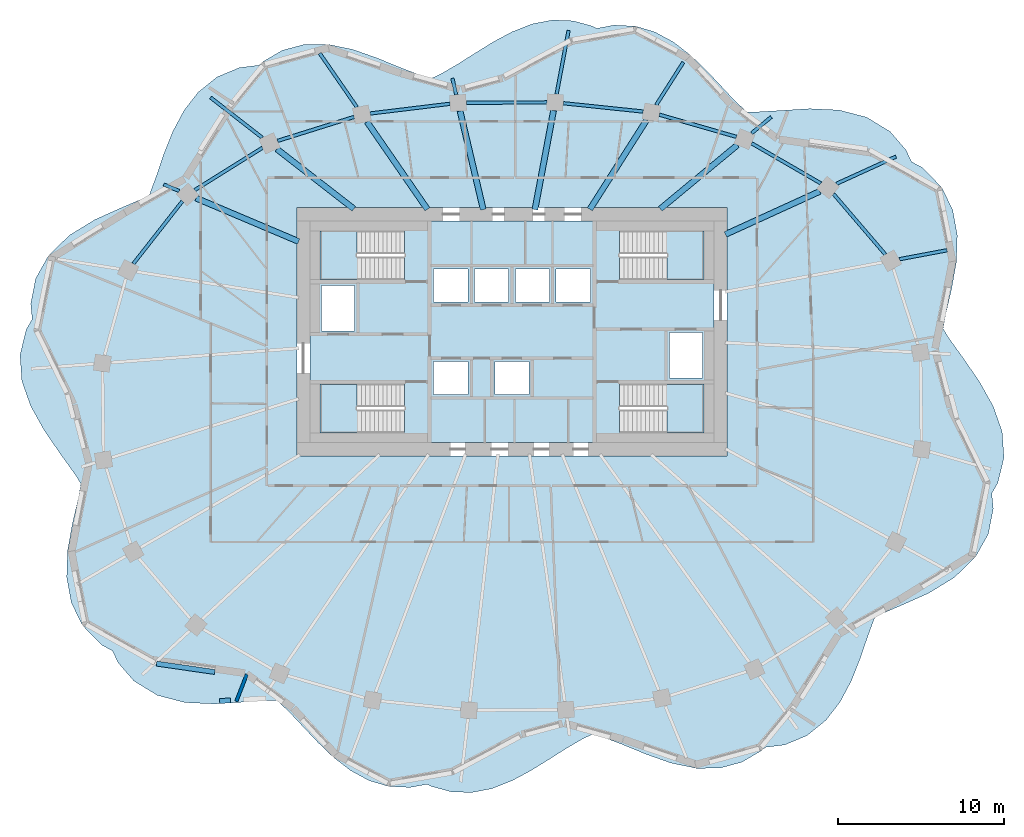
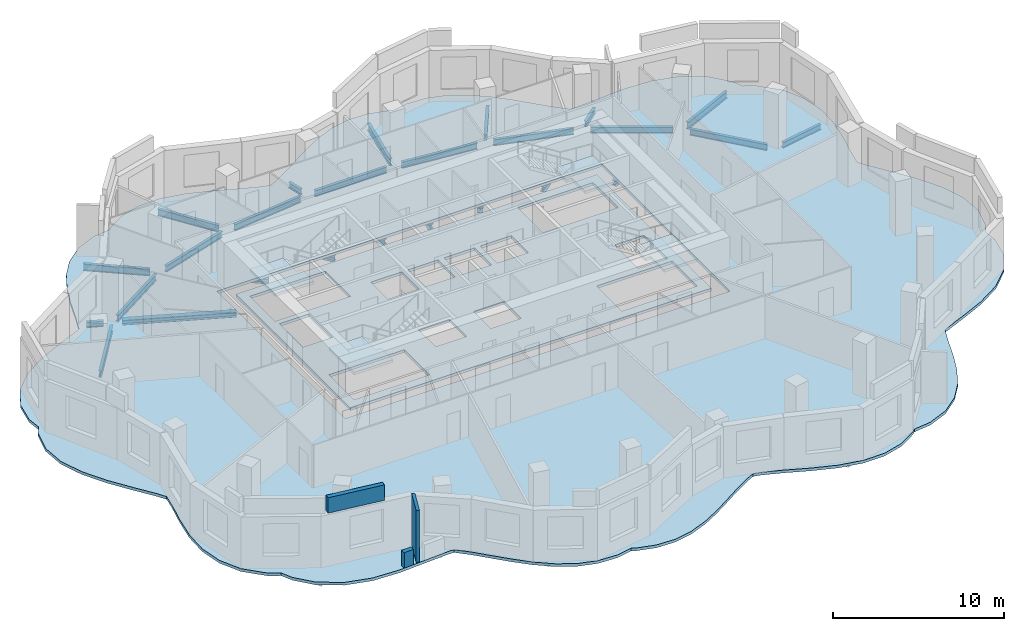
# One storey, part 2 of 10: 26 beams, 6 slabs, 3 walls, 4 elements without a shape of their own.
"""IFC4 building model written with IfcOpenShell, lengths in metres."""

from ifc_helpers import new_model, si_unit, direction, frame, frame_2d, origin, origin_2d, place, context, subcontext, project, spatial, polyline, rectangle, i_section, outline, extrude, material, layer, layer_set, material_profile, profile_set, type_object, element, aggregate, save


model = new_model("IFC4")

# Units and contexts
model_context = context("Model", 3, precision=1e-05, world=origin(), true_north=direction((0.0, 1.0)))
body_context = subcontext(model_context, "Body", "Model", "MODEL_VIEW")
ifc_project = project(units=[si_unit("LENGTHUNIT", "METRE"), si_unit("AREAUNIT", "SQUARE_METRE"), si_unit("VOLUMEUNIT", "CUBIC_METRE"), si_unit("PLANEANGLEUNIT", "RADIAN"), si_unit("MASSUNIT", "GRAM", prefix="KILO")], contexts=[model_context])

# Site, building, storey
site_placement = place(None, origin())
site = spatial("IfcSite", under=ifc_project, at=site_placement, CompositionType="ELEMENT")
building_placement = place(site_placement, origin())
building = spatial("IfcBuilding", under=site, at=building_placement, Name="Rubra Terraces Tower", CompositionType="ELEMENT")
storey_placement = place(building_placement, frame((0.0, 0.0, 256.5)))
storey = spatial("IfcBuildingStorey", under=building, at=storey_placement, Name="L63", CompositionType="ELEMENT", Elevation=256.5)

# Beams
ifc_material_1 = material(Name="Steel Q355B", Category="steel")
ifc_material_profile_1 = material_profile(ifc_material_1, i_section(OverallWidth=0.199951171875, OverallDepth=0.39990234375, WebThickness=0.008056640625, FlangeThickness=0.012939453125, at=origin_2d()), Name="HN 400x200x8x13")
ifc_profile_set_1 = profile_set([ifc_material_profile_1], Name="Steel Q355B")
beam_type_1 = type_object("IfcBeamType", Name="CANTILEVER BEAM HN 400x200x8x13", PredefinedType="BEAM", material=ifc_profile_set_1)
beam_1_placement = place(storey_placement, frame((23.39794921875, 8.884033203125, -0.39990234375), z_axis=(0.982856170911, 0.184373933356, 0.0), x_axis=(-0.184373933356, 0.982856170911, 0.0)))
element("IfcBeam", 1, at=beam_1_placement, inside=storey, type_object=beam_type_1, Name="beam-L63-cant-02", PredefinedType="BEAM", context=body_context, shape_type="SweptSolid", body=[
    extrude(i_section(OverallWidth=0.199951171875, OverallDepth=0.39990234375, WebThickness=0.008056640625, FlangeThickness=0.012939453125, at=origin_2d()), origin(), (0.0, 0.0, 1.0), 2.934326171875),
])
beam_2_placement = place(storey_placement, frame((14.47509765625, 16.4951171875, -0.39990234375), z_axis=(0.769894720429, 0.638170917119, 0.0), x_axis=(-0.638170917119, 0.769894720429, 0.0)))
element("IfcBeam", 2, at=beam_2_placement, inside=storey, type_object=beam_type_1, Name="beam-L63-cant-04", PredefinedType="BEAM", context=body_context, shape_type="SweptSolid", body=[
    extrude(i_section(OverallWidth=0.199951171875, OverallDepth=0.39990234375, WebThickness=0.008056640625, FlangeThickness=0.012939453125, at=origin_2d()), origin(), (0.0, 0.0, 1.0), 1.540283203125),
])
beam_3_placement = place(storey_placement, frame((8.7099609375, 18.201904296875, -0.39990234375), z_axis=(0.536555231363, 0.843865204696, 0.0), x_axis=(-0.843865204696, 0.536555231363, 0.0)))
element("IfcBeam", 3, at=beam_3_placement, inside=storey, type_object=beam_type_1, Name="beam-L63-cant-05", PredefinedType="BEAM", context=body_context, shape_type="SweptSolid", body=[
    extrude(i_section(OverallWidth=0.199951171875, OverallDepth=0.39990234375, WebThickness=0.008056640625, FlangeThickness=0.012939453125, at=origin_2d()), origin(), (0.0, 0.0, 1.0), 3.05859375),
])
ifc_material_profile_2 = material_profile(ifc_material_1, i_section(OverallWidth=0.198974609375, OverallDepth=0.49609375, WebThickness=0.009033203125, FlangeThickness=0.013916015625, at=origin_2d()), Name="HN 496x199x9x14")
ifc_profile_set_2 = profile_set([ifc_material_profile_2], Name="Steel Q355B")
beam_type_2 = type_object("IfcBeamType", Name="CANTILEVER BEAM HN 496x199x9x14", PredefinedType="BEAM", material=ifc_profile_set_2)
beam_4_placement = place(storey_placement, frame((19.596923828125, 13.43896484375, -0.447998046875), z_axis=(0.909745347317, 0.415166717157, 0.0), x_axis=(-0.415166717157, 0.909745347317, 0.0)))
element("IfcBeam", 4, at=beam_4_placement, inside=storey, type_object=beam_type_2, Name="beam-L63-cant-03", PredefinedType="BEAM", context=body_context, shape_type="SweptSolid", body=[
    extrude(i_section(OverallWidth=0.198974609375, OverallDepth=0.49609375, WebThickness=0.009033203125, FlangeThickness=0.013916015625, at=origin_2d()), origin(), (0.0, 0.0, 1.0), 3.950439453125),
])
beam_5_placement = place(storey_placement, frame((2.695068359375, 18.85400390625, -0.447998046875), z_axis=(0.184533441982, 0.982826235298, 0.0), x_axis=(-0.982826235298, 0.184533441982, 0.0)))
element("IfcBeam", 5, at=beam_5_placement, inside=storey, type_object=beam_type_2, Name="beam-L63-cant-06", PredefinedType="BEAM", context=body_context, shape_type="SweptSolid", body=[
    extrude(i_section(OverallWidth=0.198974609375, OverallDepth=0.49609375, WebThickness=0.009033203125, FlangeThickness=0.013916015625, at=origin_2d()), origin(), (0.0, 0.0, 1.0), 3.912109375),
])
beam_6_placement = place(storey_placement, frame((-9.3701171875, 18.070068359375, -0.447998046875), z_axis=(-0.568216621414, 0.822879013676, 0.0), x_axis=(-0.822879013676, -0.568216621414, 0.0)))
element("IfcBeam", 6, at=beam_6_placement, inside=storey, type_object=beam_type_2, Name="beam-L63-cant-08", PredefinedType="BEAM", context=body_context, shape_type="SweptSolid", body=[
    extrude(i_section(OverallWidth=0.198974609375, OverallDepth=0.49609375, WebThickness=0.009033203125, FlangeThickness=0.013916015625, at=origin_2d()), origin(), (0.0, 0.0, 1.0), 3.95068359375),
])
beam_7_placement = place(storey_placement, frame((-15.087890625, 16.22705078125, -0.447998046875), z_axis=(-0.789618379303, 0.61359825217, 0.0), x_axis=(-0.61359825217, -0.789618379303, 0.0)))
element("IfcBeam", 7, at=beam_7_placement, inside=storey, type_object=beam_type_2, Name="beam-L63-cant-09", PredefinedType="BEAM", context=body_context, shape_type="SweptSolid", body=[
    extrude(i_section(OverallWidth=0.198974609375, OverallDepth=0.49609375, WebThickness=0.009033203125, FlangeThickness=0.013916015625, at=origin_2d()), origin(), (0.0, 0.0, 1.0), 3.9501953125),
])
ifc_material_profile_3 = material_profile(ifc_material_1, i_section(OverallWidth=0.199951171875, OverallDepth=0.39990234375, WebThickness=0.008056640625, FlangeThickness=0.012939453125, at=origin_2d()), Name="HN 400x200x8x13")
ifc_profile_set_3 = profile_set([ifc_material_profile_3], Name="Steel Q355B")
beam_type_3 = type_object("IfcBeamType", Name="CANTILEVER STUB HN 400x200x8x13", PredefinedType="BEAM", material=ifc_profile_set_3)
beam_8_placement = place(storey_placement, frame((-3.3701171875, 18.823974609375, -0.39990234375), z_axis=(-0.228798709465, 0.973473754421, 0.0), x_axis=(-0.973473754421, -0.228798709465, 0.0)))
element("IfcBeam", 8, at=beam_8_placement, inside=storey, type_object=beam_type_3, Name="beam-L63-cant-07", PredefinedType="BEAM", context=body_context, shape_type="SweptSolid", body=[
    extrude(i_section(OverallWidth=0.199951171875, OverallDepth=0.39990234375, WebThickness=0.008056640625, FlangeThickness=0.012939453125, at=origin_2d()), origin(), (0.0, 0.0, 1.0), 1.01806640625),
])
beam_9_placement = place(storey_placement, frame((-20.10205078125, 13.0048828125, -0.39990234375), z_axis=(-0.920750248857, 0.390152507654, 0.0), x_axis=(-0.390152507654, -0.920750248857, 0.0)))
element("IfcBeam", 9, at=beam_9_placement, inside=storey, type_object=beam_type_3, Name="beam-L63-cant-10", PredefinedType="BEAM", context=body_context, shape_type="SweptSolid", body=[
    extrude(i_section(OverallWidth=0.199951171875, OverallDepth=0.39990234375, WebThickness=0.008056640625, FlangeThickness=0.012939453125, at=origin_2d()), origin(), (0.0, 0.0, 1.0), 1.010009765625),
])
ifc_material_profile_4 = material_profile(ifc_material_1, i_section(OverallWidth=0.35009765625, OverallDepth=0.35009765625, WebThickness=0.011962890625, FlangeThickness=0.01904296875, at=origin_2d()), Name="HW 350x350x12x19")
ifc_profile_set_4 = profile_set([ifc_material_profile_4], Name="Steel Q355B")
beam_type_4 = type_object("IfcBeamType", Name="FLOOR BEAM HW 350x350x12x19", PredefinedType="BEAM", material=ifc_profile_set_4)
beam_10_placement = place(storey_placement, frame((18.5869140625, 12.97900390625, -0.375), z_axis=(-0.909756526533, -0.415142219523, 0.0), x_axis=(0.415142219523, -0.909756526533, 0.0)))
element("IfcBeam", 10, at=beam_10_placement, inside=storey, type_object=beam_type_4, Name="beam-L63-floor-03", PredefinedType="BEAM", context=body_context, shape_type="SweptSolid", body=[
    extrude(i_section(OverallWidth=0.35009765625, OverallDepth=0.35009765625, WebThickness=0.011962890625, FlangeThickness=0.01904296875, at=origin_2d()), origin(), (0.0, 0.0, 1.0), 6.2607421875),
])
beam_11_placement = place(storey_placement, frame((13.60888671875, 15.777099609375, -0.375), z_axis=(-0.769987518392, -0.638058948312, 0.0), x_axis=(0.638058948312, -0.769987518392, 0.0)))
element("IfcBeam", 11, at=beam_11_placement, inside=storey, type_object=beam_type_4, Name="beam-L63-floor-04", PredefinedType="BEAM", context=body_context, shape_type="SweptSolid", body=[
    extrude(i_section(OverallWidth=0.35009765625, OverallDepth=0.35009765625, WebThickness=0.011962890625, FlangeThickness=0.01904296875, at=origin_2d()), origin(), (0.0, 0.0, 1.0), 6.040283203125),
])
beam_12_placement = place(storey_placement, frame((8.134033203125, 17.2958984375, -0.375), z_axis=(-0.536509861106, -0.843894050776, 0.0), x_axis=(0.843894050776, -0.536509861106, 0.0)))
element("IfcBeam", 12, at=beam_12_placement, inside=storey, type_object=beam_type_4, Name="beam-L63-floor-05", PredefinedType="BEAM", context=body_context, shape_type="SweptSolid", body=[
    extrude(i_section(OverallWidth=0.35009765625, OverallDepth=0.35009765625, WebThickness=0.011962890625, FlangeThickness=0.01904296875, at=origin_2d()), origin(), (0.0, 0.0, 1.0), 6.395263671875),
])
beam_13_placement = place(storey_placement, frame((2.509033203125, 17.862060546875, -0.375), z_axis=(-0.184574398021, -0.982818544593, 0.0), x_axis=(0.982818544593, -0.184574398021, 0.0)))
element("IfcBeam", 13, at=beam_13_placement, inside=storey, type_object=beam_type_4, Name="beam-L63-floor-06", PredefinedType="BEAM", context=body_context, shape_type="SweptSolid", body=[
    extrude(i_section(OverallWidth=0.35009765625, OverallDepth=0.35009765625, WebThickness=0.011962890625, FlangeThickness=0.01904296875, at=origin_2d()), origin(), (0.0, 0.0, 1.0), 6.08447265625),
])
beam_14_placement = place(storey_placement, frame((-3.137939453125, 17.8359375, -0.375), z_axis=(0.229070485592, -0.973409837957, 0.0), x_axis=(0.973409837957, 0.229070485592, 0.0)))
element("IfcBeam", 14, at=beam_14_placement, inside=storey, type_object=beam_type_4, Name="beam-L63-floor-07", PredefinedType="BEAM", context=body_context, shape_type="SweptSolid", body=[
    extrude(i_section(OverallWidth=0.35009765625, OverallDepth=0.35009765625, WebThickness=0.011962890625, FlangeThickness=0.01904296875, at=origin_2d()), origin(), (0.0, 0.0, 1.0), 6.115478515625),
])
beam_15_placement = place(storey_placement, frame((-8.756103515625, 17.179931640625, -0.375), z_axis=(0.568186422001, -0.822899866238, 0.0), x_axis=(0.822899866238, 0.568186422001, 0.0)))
element("IfcBeam", 15, at=beam_15_placement, inside=storey, type_object=beam_type_4, Name="beam-L63-floor-08", PredefinedType="BEAM", context=body_context, shape_type="SweptSolid", body=[
    extrude(i_section(OverallWidth=0.35009765625, OverallDepth=0.35009765625, WebThickness=0.011962890625, FlangeThickness=0.01904296875, at=origin_2d()), origin(), (0.0, 0.0, 1.0), 6.415283203125),
])
beam_16_placement = place(storey_placement, frame((-14.197998046875, 15.534912109375, -0.375), z_axis=(0.789548898228, -0.613687654517, 0.0), x_axis=(0.613687654517, 0.789548898228, 0.0)))
element("IfcBeam", 16, at=beam_16_placement, inside=storey, type_object=beam_type_4, Name="beam-L63-floor-09", PredefinedType="BEAM", context=body_context, shape_type="SweptSolid", body=[
    extrude(i_section(OverallWidth=0.35009765625, OverallDepth=0.35009765625, WebThickness=0.011962890625, FlangeThickness=0.01904296875, at=origin_2d()), origin(), (0.0, 0.0, 1.0), 5.880615234375),
])
beam_17_placement = place(storey_placement, frame((-19.083984375, 12.574951171875, -0.375), z_axis=(0.92097476483, -0.38962223056, 0.0), x_axis=(0.38962223056, 0.92097476483, 0.0)))
element("IfcBeam", 17, at=beam_17_placement, inside=storey, type_object=beam_type_4, Name="beam-L63-floor-10", PredefinedType="BEAM", context=body_context, shape_type="SweptSolid", body=[
    extrude(i_section(OverallWidth=0.35009765625, OverallDepth=0.35009765625, WebThickness=0.011962890625, FlangeThickness=0.01904296875, at=origin_2d()), origin(), (0.0, 0.0, 1.0), 6.7265625),
])
ifc_material_profile_5 = material_profile(ifc_material_1, i_section(OverallWidth=0.198974609375, OverallDepth=0.446044921875, WebThickness=0.008056640625, FlangeThickness=0.011962890625, at=origin_2d()), Name="HN 446x199x8x12")
ifc_profile_set_5 = profile_set([ifc_material_profile_5], Name="Steel Q355B")
beam_type_5 = type_object("IfcBeamType", Name="SPANDREL BEAM HN 446x199x8x12", PredefinedType="SPANDREL", material=ifc_profile_set_5)
beam_18_placement = place(storey_placement, frame((22.547119140625, 9.174072265625, -0.423095703125), z_axis=(-0.650372836218, 0.759615148552, 0.0), x_axis=(-0.759615148552, -0.650372836218, 0.0)))
element("IfcBeam", 18, at=beam_18_placement, inside=storey, type_object=beam_type_5, Name="beam-L63-spandrel-02", PredefinedType="SPANDREL", context=body_context, shape_type="SweptSolid", body=[
    extrude(i_section(OverallWidth=0.198974609375, OverallDepth=0.446044921875, WebThickness=0.008056640625, FlangeThickness=0.011962890625, at=origin_2d()), origin(), (0.0, 0.0, 1.0), 4.804931640625),
])
beam_19_placement = place(storey_placement, frame((18.653076171875, 13.462890625, -0.423095703125), z_axis=(-0.865153680787, 0.501506838059, 0.0), x_axis=(-0.501506838059, -0.865153680787, 0.0)))
element("IfcBeam", 19, at=beam_19_placement, inside=storey, type_object=beam_type_5, Name="beam-L63-spandrel-03", PredefinedType="SPANDREL", context=body_context, shape_type="SweptSolid", body=[
    extrude(i_section(OverallWidth=0.198974609375, OverallDepth=0.446044921875, WebThickness=0.008056640625, FlangeThickness=0.011962890625, at=origin_2d()), origin(), (0.0, 0.0, 1.0), 4.82568359375),
])
beam_20_placement = place(storey_placement, frame((13.55810546875, 16.27490234375, -0.423095703125), z_axis=(-0.961171164323, 0.275952881621, 0.0), x_axis=(-0.275952881621, -0.961171164323, 0.0)))
element("IfcBeam", 20, at=beam_20_placement, inside=storey, type_object=beam_type_5, Name="beam-L63-spandrel-04", PredefinedType="SPANDREL", context=body_context, shape_type="SweptSolid", body=[
    extrude(i_section(OverallWidth=0.198974609375, OverallDepth=0.446044921875, WebThickness=0.008056640625, FlangeThickness=0.011962890625, at=origin_2d()), origin(), (0.0, 0.0, 1.0), 4.842041015625),
])
beam_21_placement = place(storey_placement, frame((7.923095703125, 17.801025390625, -0.423095703125), z_axis=(-0.994565426955, 0.104113454971, 0.0), x_axis=(-0.104113454971, -0.994565426955, 0.0)))
element("IfcBeam", 21, at=beam_21_placement, inside=storey, type_object=beam_type_5, Name="beam-L63-spandrel-05", PredefinedType="SPANDREL", context=body_context, shape_type="SweptSolid", body=[
    extrude(i_section(OverallWidth=0.198974609375, OverallDepth=0.446044921875, WebThickness=0.008056640625, FlangeThickness=0.011962890625, at=origin_2d()), origin(), (0.0, 0.0, 1.0), 4.849365234375),
])
beam_22_placement = place(storey_placement, frame((2.10107421875, 18.35595703125, -0.423095703125), z_axis=(-0.999987852299, -0.004929021704, 0.0), x_axis=(0.004929021704, -0.999987852299, 0.0)))
element("IfcBeam", 22, at=beam_22_placement, inside=storey, type_object=beam_type_5, Name="beam-L63-spandrel-06", PredefinedType="SPANDREL", context=body_context, shape_type="SweptSolid", body=[
    extrude(i_section(OverallWidth=0.198974609375, OverallDepth=0.446044921875, WebThickness=0.008056640625, FlangeThickness=0.011962890625, at=origin_2d()), origin(), (0.0, 0.0, 1.0), 4.85400390625),
])
beam_23_placement = place(storey_placement, frame((-3.7509765625, 18.27001953125, -0.423095703125), z_axis=(-0.992698018573, -0.120626049929, 0.0), x_axis=(0.120626049929, -0.992698018573, 0.0)))
element("IfcBeam", 23, at=beam_23_placement, inside=storey, type_object=beam_type_5, Name="beam-L63-spandrel-07", PredefinedType="SPANDREL", context=body_context, shape_type="SweptSolid", body=[
    extrude(i_section(OverallWidth=0.198974609375, OverallDepth=0.446044921875, WebThickness=0.008056640625, FlangeThickness=0.011962890625, at=origin_2d()), origin(), (0.0, 0.0, 1.0), 4.849365234375),
])
beam_24_placement = place(storey_placement, frame((-9.5419921875, 17.47509765625, -0.423095703125), z_axis=(-0.954462027342, -0.298332429282, 0.0), x_axis=(0.298332429282, -0.954462027342, 0.0)))
element("IfcBeam", 24, at=beam_24_placement, inside=storey, type_object=beam_type_5, Name="beam-L63-spandrel-08", PredefinedType="SPANDREL", context=body_context, shape_type="SweptSolid", body=[
    extrude(i_section(OverallWidth=0.198974609375, OverallDepth=0.446044921875, WebThickness=0.008056640625, FlangeThickness=0.011962890625, at=origin_2d()), origin(), (0.0, 0.0, 1.0), 4.840576171875),
])
beam_25_placement = place(storey_placement, frame((-15.071044921875, 15.614013671875, -0.423095703125), z_axis=(-0.848183088492, -0.529703170083, 0.0), x_axis=(0.529703170083, -0.848183088492, 0.0)))
element("IfcBeam", 25, at=beam_25_placement, inside=storey, type_object=beam_type_5, Name="beam-L63-spandrel-09", PredefinedType="SPANDREL", context=body_context, shape_type="SweptSolid", body=[
    extrude(i_section(OverallWidth=0.198974609375, OverallDepth=0.446044921875, WebThickness=0.008056640625, FlangeThickness=0.011962890625, at=origin_2d()), origin(), (0.0, 0.0, 1.0), 4.8232421875),
])
beam_26_placement = place(storey_placement, frame((-19.906005859375, 12.39111328125, -0.423095703125), z_axis=(-0.617060338015, -0.786915840004, 0.0), x_axis=(0.786915840004, -0.617060338015, 0.0)))
element("IfcBeam", 26, at=beam_26_placement, inside=storey, type_object=beam_type_5, Name="beam-L63-spandrel-10", PredefinedType="SPANDREL", context=body_context, shape_type="SweptSolid", body=[
    extrude(i_section(OverallWidth=0.198974609375, OverallDepth=0.446044921875, WebThickness=0.008056640625, FlangeThickness=0.011962890625, at=origin_2d()), origin(), (0.0, 0.0, 1.0), 4.8037109375),
])

# Slab
ifc_material_2 = material(Name="Concrete C40", Category="concrete")
ifc_layer_1 = layer(ifc_material_2, 0.199951171875)
ifc_layer_set_1 = layer_set([ifc_layer_1], Name="Concrete C40")
slab_type_1 = type_object("IfcSlabType", Name="Core floor slab 200 concrete", PredefinedType="FLOOR", material=ifc_layer_set_1)
slab_1_placement = place(storey_placement, frame((0.0, 0.0, -0.199951171875)))
element("IfcSlab", 27, at=slab_1_placement, inside=storey, type_object=slab_type_1, Name="CORE FLOOR SLAB L63", PredefinedType="FLOOR", context=body_context, shape_type="SweptSolid", body=[
    extrude(outline(polyline([(-12.199951171875, -2.199951171875), (-12.199951171875, 11.199951171875), (12.199951171875, 11.199951171875), (12.199951171875, -2.199951171875), (-12.199951171875, -2.199951171875)]), holes=[polyline([(11.597900390625, 1.347900390625), (6.501953125, 1.347900390625), (6.501953125, -1.597900390625), (11.597900390625, -1.597900390625), (11.597900390625, 1.347900390625)]), polyline([(11.597900390625, 7.652099609375), (11.597900390625, 10.597900390625), (6.501953125, 10.597900390625), (6.501953125, 7.652099609375), (11.597900390625, 7.652099609375)]), polyline([(9.5, 1.699951171875), (11.5, 1.699951171875), (11.5, 4.449951171875), (9.5, 4.449951171875), (9.5, 1.699951171875)]), polyline([(4.75, 6.300048828125), (4.75, 8.300048828125), (2.64990234375, 8.300048828125), (2.64990234375, 6.300048828125), (4.75, 6.300048828125)]), polyline([(2.25, 8.300048828125), (0.199951171875, 8.300048828125), (0.199951171875, 6.300048828125), (2.25, 6.300048828125), (2.25, 8.300048828125)]), polyline([(1.02490234375, 0.699951171875), (1.02490234375, 2.699951171875), (-1.02490234375, 2.699951171875), (-1.02490234375, 0.699951171875), (1.02490234375, 0.699951171875)]), polyline([(-0.199951171875, 6.300048828125), (-0.199951171875, 8.300048828125), (-2.25, 8.300048828125), (-2.25, 6.300048828125), (-0.199951171875, 6.300048828125)]), polyline([(-4.75, 8.300048828125), (-4.75, 6.300048828125), (-2.64990234375, 6.300048828125), (-2.64990234375, 8.300048828125), (-4.75, 8.300048828125)]), polyline([(-2.64990234375, 0.699951171875), (-2.64990234375, 2.699951171875), (-4.75, 2.699951171875), (-4.75, 0.699951171875), (-2.64990234375, 0.699951171875)]), polyline([(-11.597900390625, -1.597900390625), (-6.501953125, -1.597900390625), (-6.501953125, 1.347900390625), (-11.597900390625, 1.347900390625), (-11.597900390625, -1.597900390625)]), polyline([(-11.597900390625, 10.597900390625), (-11.597900390625, 7.652099609375), (-6.501953125, 7.652099609375), (-6.501953125, 10.597900390625), (-11.597900390625, 10.597900390625)]), polyline([(-9.5, 4.550048828125), (-9.5, 7.300048828125), (-11.5, 7.300048828125), (-11.5, 4.550048828125), (-9.5, 4.550048828125)])]), origin(), (0.0, 0.0, 1.0), 0.199951171875),
])

# Stair, slab
stair_type = type_object("IfcStairType", Name="Core stair 1400", PredefinedType="HALF_TURN_STAIR", material=ifc_material_2)
stair_1_placement = place(storey_placement, origin())
stair_1 = element("IfcStair", 28, at=stair_1_placement, inside=storey, type_object=stair_type, Name="L63 Exit stair S1", PredefinedType="HALF_TURN_STAIR")
ifc_layer_2 = layer(ifc_material_2, 0.199951171875)
ifc_layer_set_2 = layer_set([ifc_layer_2], Name="Concrete C40")
slab_type_2 = type_object("IfcSlabType", Name="Core stair landing 200", PredefinedType="LANDING", material=ifc_layer_set_2)
slab_2_placement = place(storey_placement, frame((0.0, 0.0, 1.75)))
slab_2 = element("IfcSlab", 29, at=slab_2_placement, type_object=slab_type_2, Name="S1 landing 1", PredefinedType="LANDING", context=body_context, shape_type="SweptSolid", body=[
    extrude(outline(polyline([(-8.97998046875, -0.199951171875), (-8.97998046875, -1.60009765625), (-9.360107421875, -1.60009765625), (-9.3798828125, -1.60009765625), (-11.60009765625, -1.60009765625), (-11.60009765625, 1.35009765625), (-9.3798828125, 1.35009765625), (-9.35791015625, 1.35009765625), (-9.35791015625, -0.050048828125), (-9.360107421875, -0.050048828125), (-9.360107421875, -0.199951171875), (-8.97998046875, -0.199951171875)])), origin(), (0.0, 0.0, 1.0), 0.199951171875),
])
aggregate(stair_1, [slab_2])

stair_2_placement = place(storey_placement, origin())
stair_2 = element("IfcStair", 30, at=stair_2_placement, inside=storey, type_object=stair_type, Name="L63 Exit stair S2", PredefinedType="HALF_TURN_STAIR")
slab_3_placement = place(storey_placement, frame((0.0, 0.0, 1.75)))
slab_3 = element("IfcSlab", 31, at=slab_3_placement, type_object=slab_type_2, Name="S2 landing 1", PredefinedType="LANDING", context=body_context, shape_type="SweptSolid", body=[
    extrude(outline(polyline([(-8.97998046875, 9.050048828125), (-8.97998046875, 7.64990234375), (-9.3798828125, 7.64990234375), (-11.60009765625, 7.64990234375), (-11.60009765625, 10.60009765625), (-9.3798828125, 10.60009765625), (-9.360107421875, 10.60009765625), (-9.35791015625, 10.60009765625), (-9.35791015625, 9.199951171875), (-9.360107421875, 9.199951171875), (-9.360107421875, 9.050048828125), (-8.97998046875, 9.050048828125)])), origin(), (0.0, 0.0, 1.0), 0.199951171875),
])
aggregate(stair_2, [slab_3])

stair_3_placement = place(storey_placement, origin())
stair_3 = element("IfcStair", 32, at=stair_3_placement, inside=storey, type_object=stair_type, Name="L63 Exit stair S3", PredefinedType="HALF_TURN_STAIR")
slab_4_placement = place(storey_placement, frame((0.0, 0.0, 1.75)))
slab_4 = element("IfcSlab", 33, at=slab_4_placement, type_object=slab_type_2, Name="S3 landing 1", PredefinedType="LANDING", context=body_context, shape_type="SweptSolid", body=[
    extrude(outline(polyline([(9.360107421875, 9.050048828125), (9.360107421875, 9.199951171875), (8.97998046875, 9.199951171875), (8.97998046875, 10.60009765625), (9.360107421875, 10.60009765625), (9.3798828125, 10.60009765625), (11.60009765625, 10.60009765625), (11.60009765625, 7.64990234375), (9.3798828125, 7.64990234375), (9.35791015625, 7.64990234375), (9.35791015625, 9.050048828125), (9.360107421875, 9.050048828125)])), origin(), (0.0, 0.0, 1.0), 0.199951171875),
])
aggregate(stair_3, [slab_4])

stair_4_placement = place(storey_placement, origin())
stair_4 = element("IfcStair", 34, at=stair_4_placement, inside=storey, type_object=stair_type, Name="L63 Exit stair S4", PredefinedType="HALF_TURN_STAIR")
slab_5_placement = place(storey_placement, frame((0.0, 0.0, 1.75)))
slab_5 = element("IfcSlab", 35, at=slab_5_placement, type_object=slab_type_2, Name="S4 landing 1", PredefinedType="LANDING", context=body_context, shape_type="SweptSolid", body=[
    extrude(outline(polyline([(9.360107421875, -0.199951171875), (9.360107421875, -0.050048828125), (8.97998046875, -0.050048828125), (8.97998046875, 1.35009765625), (9.360107421875, 1.35009765625), (9.3798828125, 1.35009765625), (11.60009765625, 1.35009765625), (11.60009765625, -1.60009765625), (9.3798828125, -1.60009765625), (9.360107421875, -1.60009765625), (9.35791015625, -1.60009765625), (9.35791015625, -0.199951171875), (9.360107421875, -0.199951171875)])), origin(), (0.0, 0.0, 1.0), 0.199951171875),
])
aggregate(stair_4, [slab_5])

# Slab
ifc_layer_3 = layer(ifc_material_2, 0.199951171875)
ifc_layer_set_3 = layer_set([ifc_layer_3], Name="Concrete C40")
slab_type_3 = type_object("IfcSlabType", Name="FLOOR SLAB 200 COMPOSITE", PredefinedType="FLOOR", material=ifc_layer_set_3)
slab_6_placement = place(storey_placement, frame((0.0, 0.0, -0.199951171875)))
element("IfcSlab", 36, at=slab_6_placement, inside=storey, type_object=slab_type_3, Name="FLOOR SLAB L63", PredefinedType="FLOOR", context=body_context, shape_type="SweptSolid", body=[
    extrude(outline(polyline([(15.10009765625, -20.782958984375), (15.297119140625, -20.60009765625), (16.469970703125, -20.4541015625), (17.81298828125, -19.89404296875), (18.964111328125, -18.964111328125), (19.81591796875, -17.863037109375), (20.489013671875, -16.59912109375), (21.01904296875, -15.27099609375), (21.498046875, -13.864990234375), (21.919921875, -12.72900390625), (22.05810546875, -12.64990234375), (23.56298828125, -12.006103515625), (25.175048828125, -11.283935546875), (26.72509765625, -10.337890625), (28.0, -9.097900390625), (28.77099609375, -7.715087890625), (29.072021484375, -6.176025390625), (28.97998046875, -5.259033203125), (29.337890625, -4.64697265625), (29.717041015625, -3.10107421875), (29.60595703125, -1.52587890625), (29.06689453125, 0.0), (28.240966796875, 1.47998046875), (27.278076171875, 2.87890625), (26.34912109375, 4.173095703125), (26.041015625, 4.68603515625), (26.18994140625, 5.527099609375), (26.551025390625, 7.068115234375), (26.843994140625, 8.721923828125), (26.89794921875, 10.322021484375), (26.618896484375, 11.860107421875), (25.9541015625, 13.22412109375), (24.791015625, 14.4169921875), (24.135986328125, 14.76708984375), (23.7900390625, 15.491943359375), (22.839111328125, 16.593017578125), (21.4150390625, 17.4619140625), (19.748046875, 17.89501953125), (17.97607421875, 17.97607421875), (16.18408203125, 17.864013671875), (14.509033203125, 17.763916015625), (14.173095703125, 17.787109375), (13.430908203125, 18.487060546875), (12.596923828125, 19.3779296875), (11.72509765625, 20.303955078125), (10.798095703125, 21.19189453125), (9.7509765625, 22.001953125), (8.634033203125, 22.60888671875), (7.4599609375, 22.958984375), (6.156982421875, 23.02197265625), (5.1279296875, 22.8291015625), (4.843994140625, 22.967041015625), (3.68701171875, 23.281982421875), (2.450927734375, 23.33203125), (1.217041015625, 23.095947265625), (0.0, 22.616943359375), (-1.110107421875, 22.02294921875), (-2.2041015625, 21.34912109375), (-3.27392578125, 20.6708984375), (-4.283935546875, 20.08203125), (-4.864013671875, 19.80908203125), (-4.2451171875, 19.64501953125), (-5.419921875, 19.9560546875), (-6.633056640625, 20.4130859375), (-8.09912109375, 21.01806640625), (-9.613037109375, 21.552001953125), (-11.14208984375, 21.866943359375), (-12.552978515625, 21.85595703125), (-13.886962890625, 21.4951171875), (-15.10009765625, 20.782958984375), (-15.297119140625, 20.60009765625), (-16.469970703125, 20.4541015625), (-17.81298828125, 19.89404296875), (-18.964111328125, 18.964111328125), (-19.81591796875, 17.863037109375), (-20.489013671875, 16.59912109375), (-21.01904296875, 15.27099609375), (-21.498046875, 13.864990234375), (-21.919921875, 12.72900390625), (-22.05810546875, 12.64990234375), (-23.56298828125, 12.006103515625), (-25.175048828125, 11.283935546875), (-26.72509765625, 10.337890625), (-28.0, 9.097900390625), (-28.77099609375, 7.715087890625), (-29.072021484375, 6.176025390625), (-28.97998046875, 5.259033203125), (-29.337890625, 4.64697265625), (-29.717041015625, 3.10107421875), (-29.60595703125, 1.52587890625), (-29.06689453125, 0.0), (-28.240966796875, -1.47998046875), (-27.278076171875, -2.87890625), (-26.34912109375, -4.173095703125), (-26.041015625, -4.68603515625), (-26.18994140625, -5.527099609375), (-26.551025390625, -7.068115234375), (-26.843994140625, -8.721923828125), (-26.89794921875, -10.322021484375), (-26.618896484375, -11.860107421875), (-25.9541015625, -13.22412109375), (-24.791015625, -14.4169921875), (-24.135986328125, -14.76708984375), (-23.7900390625, -15.491943359375), (-22.839111328125, -16.593017578125), (-21.4150390625, -17.4619140625), (-19.748046875, -17.89501953125), (-17.97607421875, -17.97607421875), (-16.18408203125, -17.864013671875), (-14.509033203125, -17.763916015625), (-14.173095703125, -17.787109375), (-13.430908203125, -18.487060546875), (-12.596923828125, -19.3779296875), (-11.72509765625, -20.303955078125), (-10.798095703125, -21.19189453125), (-9.7509765625, -22.001953125), (-8.634033203125, -22.60888671875), (-7.4599609375, -22.958984375), (-6.156982421875, -23.02197265625), (-5.1279296875, -22.8291015625), (-4.843994140625, -22.967041015625), (-3.68701171875, -23.281982421875), (-2.450927734375, -23.33203125), (-1.217041015625, -23.095947265625), (0.0, -22.616943359375), (1.110107421875, -22.02294921875), (2.2041015625, -21.34912109375), (3.27392578125, -20.6708984375), (4.283935546875, -20.08203125), (4.864013671875, -19.80908203125), (4.2451171875, -19.64501953125), (5.419921875, -19.9560546875), (6.633056640625, -20.4130859375), (8.09912109375, -21.01806640625), (9.613037109375, -21.552001953125), (11.14208984375, -21.866943359375), (12.552978515625, -21.85595703125), (13.886962890625, -21.4951171875), (15.10009765625, -20.782958984375)]), holes=[polyline([(13.0, 12.0), (13.0, -3.0), (-13.0, -3.0), (-13.0, 12.0), (13.0, 12.0)])]), origin(), (0.0, 0.0, 1.0), 0.199951171875),
])

# Walls
ifc_material_3 = material(Name="Brick masonry red-brown", Category="masonry")
ifc_layer_4 = layer(ifc_material_3, 0.300048828125)
ifc_layer_set_4 = layer_set([ifc_layer_4], Name="Brick masonry red-brown")
wall_type_1 = type_object("IfcWallType", Name="Brick edge guard 300", PredefinedType="PARAPET", material=ifc_layer_set_4)
wall_1_placement = place(storey_placement, frame((-17.00537109375, -17.764892578125, 0.0), z_axis=(0.0, 0.0, 1.0), x_axis=(-0.998026310553, -0.062797161113, 0.0)))
element("IfcWall", 37, at=wall_1_placement, inside=storey, type_object=wall_type_1, Name="Edge guard L63.2", PredefinedType="PARAPET", context=body_context, shape_type="SweptSolid", body=[
    extrude(rectangle(XDim=0.653076171875, YDim=0.300048828125, at=frame_2d((0.32666015625, 0.0))), origin(), (0.0, 0.0, 1.0), 1.10009765625),
])
ifc_layer_5 = layer(ifc_material_3, 0.300048828125)
ifc_layer_set_5 = layer_set([ifc_layer_5], Name="Brick masonry red-brown")
wall_type_2 = type_object("IfcWallType", Name="Brick parapet 300", PredefinedType="PARAPET", material=ifc_layer_set_5)
wall_2_placement = place(storey_placement, frame((-21.470703125, -15.540771484375, 3.89990234375), z_axis=(0.0, 0.0, 1.0), x_axis=(0.989713234374, -0.143065417571, 0.0)))
element("IfcWall", 38, at=wall_2_placement, inside=storey, type_object=wall_type_2, Name="Parapet L63 bay 25", PredefinedType="PARAPET", context=body_context, shape_type="SweptSolid", body=[
    extrude(rectangle(XDim=3.5546875, YDim=0.300048828125, at=frame_2d((1.77734375, 0.0))), origin(), (0.0, 0.0, 1.0), 1.10009765625),
])
ifc_layer_6 = layer(ifc_material_3, 0.199951171875)
ifc_layer_set_6 = layer_set([ifc_layer_6], Name="Brick masonry red-brown")
wall_type_3 = type_object("IfcWallType", Name="Brick wind fin 200", PredefinedType="SOLIDWALL", material=ifc_layer_set_6)
wall_3_placement = place(storey_placement, frame((-16.01904296875, -16.195068359375, 0.0), z_axis=(0.0, 0.0, 1.0), x_axis=(-0.362641522028, -0.931928713208, 0.0)))
element("IfcWall", 39, at=wall_3_placement, inside=storey, type_object=wall_type_3, Name="Wind fin L63 16", PredefinedType="SOLIDWALL", context=body_context, shape_type="SweptSolid", body=[
    extrude(rectangle(XDim=1.749755859375, YDim=0.199951171875, at=frame_2d((0.875, 0.0))), origin(), (0.0, 0.0, 1.0), 3.699951171875),
])

save(model, "model.ifc")
